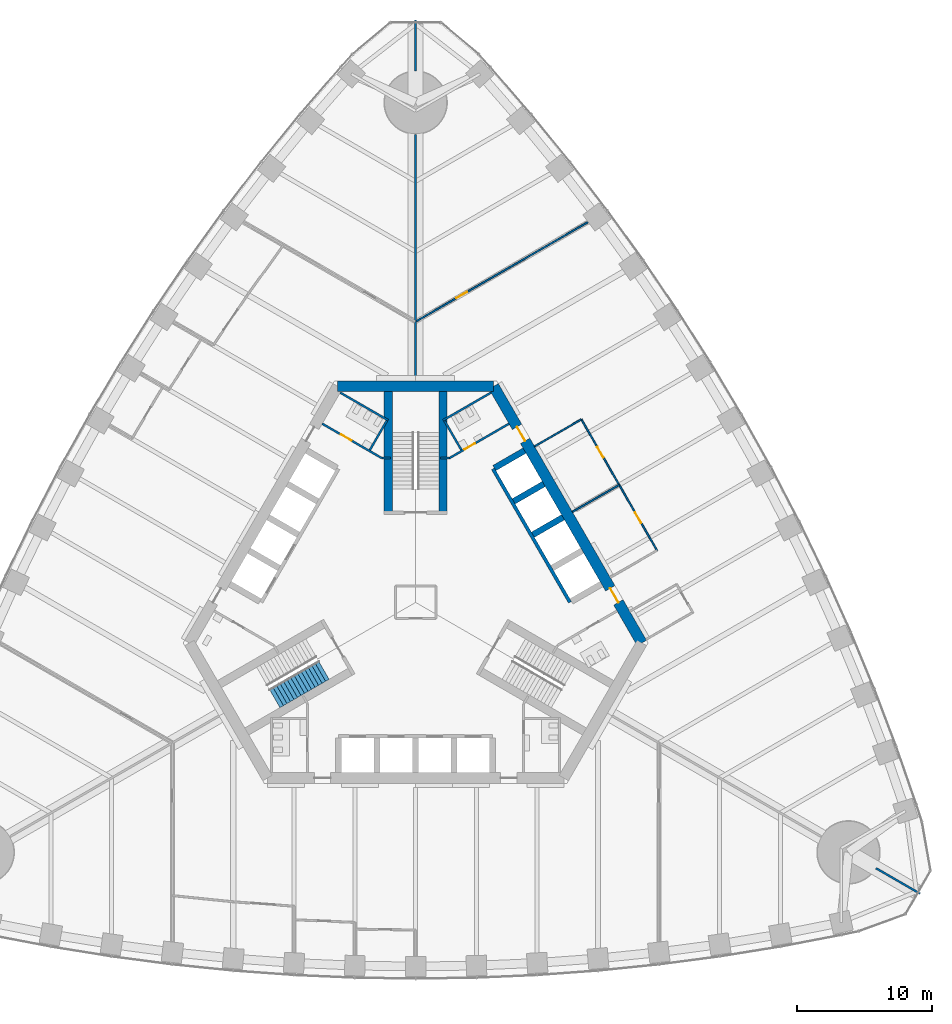
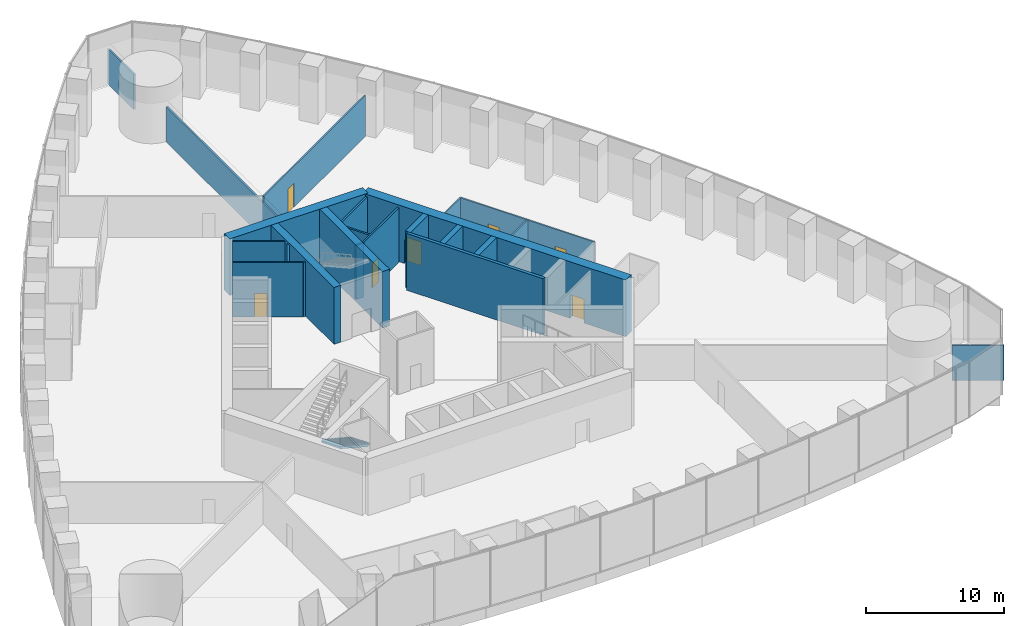
# One storey, part 17 of 21: 24 walls, 7 doors, 1 stair flight, 7 openings, 1 element without a shape of its own.
"""IFC4 building model written with IfcOpenShell, lengths in metres."""

from ifc_helpers import new_model, si_unit, direction, frame, frame_2d, origin, place, context, subcontext, project, spatial, polyline, rectangle, outline, extrude, material, layer, layer_set, type_object, element, fill, aggregate, save


model = new_model("IFC4")

# Units and contexts
model_context = context("Model", 3, precision=1e-05, world=origin(), true_north=direction((0.0, 1.0)))
body_context = subcontext(model_context, "Body", "Model", "MODEL_VIEW")
ifc_project = project(units=[si_unit("LENGTHUNIT", "METRE"), si_unit("AREAUNIT", "SQUARE_METRE"), si_unit("VOLUMEUNIT", "CUBIC_METRE"), si_unit("PLANEANGLEUNIT", "RADIAN"), si_unit("MASSUNIT", "GRAM", prefix="KILO")], contexts=[model_context])

# Site, building, storey
site_placement = place(None, origin())
site = spatial("IfcSite", under=ifc_project, at=site_placement, CompositionType="ELEMENT")
building_placement = place(site_placement, origin())
building = spatial("IfcBuilding", under=site, at=building_placement, Name="Trefoil Bronze Tower", CompositionType="ELEMENT")
storey_placement = place(building_placement, frame((0.0, 0.0, 11.5)))
storey = spatial("IfcBuildingStorey", under=building, at=storey_placement, Name="L02", CompositionType="ELEMENT", Elevation=11.5)

# Wall, openings, doors
ifc_material_1 = material(Name="Concrete B80", Category="concrete")
ifc_layer_1 = layer(ifc_material_1, 0.800048828125)
ifc_layer_set_1 = layer_set([ifc_layer_1], Name="Core wall 800")
wall_type_1 = type_object("IfcWallType", Name="Core wall 800", PredefinedType="SHEAR", material=ifc_layer_set_1)
wall_1_placement = place(storey_placement, frame((16.7431640625, -3.0, 0.0), z_axis=(0.0, 0.0, 1.0), x_axis=(-0.500002442456, 0.866023993627, 0.0)))
wall_1 = element("IfcWall", 1, at=wall_1_placement, inside=storey, type_object=wall_type_1, Name="Core long wall 2 L02", PredefinedType="SHEAR", context=body_context, shape_type="SweptSolid", body=[
    extrude(rectangle(XDim=21.939453125, YDim=0.800048828125, at=frame_2d((10.9697265625, 0.0))), origin(), (0.0, 0.0, 1.0), 5.0),
])
opening_1_placement = place(wall_1_placement, frame((17.269775390625, 0.0, 0.0)))
opening_1 = element("IfcOpeningElement", 2, at=opening_1_placement, cuts=wall_1, Name="Opening D2", PredefinedType="OPENING", context=body_context, shape_type="SweptSolid", body=[
    extrude(rectangle(XDim=1.199951171875, YDim=2.10009765625, at=frame_2d((0.60009765625, 1.050048828125))), frame((0.0, 0.409912109375, 0.0), z_axis=(0.0, -1.0, 0.0), x_axis=(1.0, 0.0, 0.0)), (0.0, 0.0, 1.0), 0.820068359375),
])
opening_2_placement = place(wall_1_placement, frame((3.4697265625, 0.0, 0.0)))
opening_2 = element("IfcOpeningElement", 3, at=opening_2_placement, cuts=wall_1, Name="Opening D2", PredefinedType="OPENING", context=body_context, shape_type="SweptSolid", body=[
    extrude(rectangle(XDim=1.199951171875, YDim=2.10009765625, at=frame_2d((0.60009765625, 1.050048828125))), frame((0.0, 0.409912109375, 0.0), z_axis=(0.0, -1.0, 0.0), x_axis=(1.0, 0.0, 0.0)), (0.0, 0.0, 1.0), 0.820068359375),
])
ifc_material_2 = material(Name="Steel door", Category="steel")
door_type_1 = type_object("IfcDoorType", Name="Lobby door 1200", OperationType="SINGLE_SWING_RIGHT", PredefinedType="DOOR", material=ifc_material_2)
door_1_placement = place(opening_1_placement, origin())
door_1 = element("IfcDoor", 4, at=door_1_placement, inside=storey, type_object=door_type_1, Name="Lobby door F2+ L02", OperationType="SINGLE_SWING_RIGHT", OverallHeight=2.10009765625, OverallWidth=1.199951171875, PredefinedType="DOOR", context=body_context, shape_type="SweptSolid", body=[
    extrude(rectangle(XDim=1.199951171875, YDim=2.10009765625, at=frame_2d((0.60009765625, 1.050048828125))), frame((0.0, 0.02490234375, 0.0), z_axis=(0.0, -1.0, 0.0), x_axis=(1.0, 0.0, 0.0)), (0.0, 0.0, 1.0), 0.050048828125),
])
fill(opening_1, door_1)
door_2_placement = place(opening_2_placement, origin())
door_2 = element("IfcDoor", 5, at=door_2_placement, inside=storey, type_object=door_type_1, Name="Lobby door F2- L02", OperationType="SINGLE_SWING_LEFT", OverallHeight=2.10009765625, OverallWidth=1.199951171875, PredefinedType="DOOR", context=body_context, shape_type="SweptSolid", body=[
    extrude(rectangle(XDim=1.199951171875, YDim=2.10009765625, at=frame_2d((0.60009765625, 1.050048828125))), frame((0.0, 0.02490234375, 0.0), z_axis=(0.0, -1.0, 0.0), x_axis=(1.0, 0.0, 0.0)), (0.0, 0.0, 1.0), 0.050048828125),
])
fill(opening_2, door_2)

# Wall
wall_2_placement = place(storey_placement, frame((5.7734375, 16.0, 0.0), z_axis=(0.0, 0.0, 1.0), x_axis=(-1.0, 0.0, 0.0)))
element("IfcWall", 6, at=wall_2_placement, inside=storey, type_object=wall_type_1, Name="Core short wall 2 L02", PredefinedType="SHEAR", context=body_context, shape_type="SweptSolid", body=[
    extrude(rectangle(XDim=11.546875, YDim=0.800048828125, at=frame_2d((5.7734375, 0.0))), origin(), (0.0, 0.0, 1.0), 5.0),
])

# Wall, opening, door
ifc_material_3 = material(Name="Glazed partition", Category="glass")
ifc_layer_2 = layer(ifc_material_3, 0.1201171875)
ifc_layer_set_2 = layer_set([ifc_layer_2], Name="Glazed partition 120")
wall_type_2 = type_object("IfcWallType", Name="Glazed partition 120", PredefinedType="PARTITIONING", material=ifc_layer_set_2)
wall_3_placement = place(storey_placement, frame((15.06884765625, 8.699951171875, 0.0), z_axis=(0.0, 0.0, 1.0), x_axis=(-0.49999793692, 0.866026594901, 0.0)))
wall_3 = element("IfcWall", 7, at=wall_3_placement, inside=storey, type_object=wall_type_2, Name="Partition F2 L02", PredefinedType="PARTITIONING", context=body_context, shape_type="SweptSolid", body=[
    extrude(rectangle(XDim=5.60009765625, YDim=0.1201171875, at=frame_2d((2.800048828125, 0.0))), origin(), (0.0, 0.0, 1.0), 3.60009765625),
])
opening_3_placement = place(wall_3_placement, frame((2.35009765625, 0.0, 0.0)))
opening_3 = element("IfcOpeningElement", 8, at=opening_3_placement, cuts=wall_3, Name="Opening D8", PredefinedType="OPENING", context=body_context, shape_type="SweptSolid", body=[
    extrude(rectangle(XDim=0.89990234375, YDim=2.10009765625, at=frame_2d((0.449951171875, 1.050048828125))), frame((0.0, 0.070068359375, 0.0), z_axis=(0.0, -1.0, 0.0), x_axis=(1.0, 0.0, 0.0)), (0.0, 0.0, 1.0), 0.14013671875),
])
ifc_material_4 = material(Name="Timber door", Category="wood")
door_type_2 = type_object("IfcDoorType", Name="Office door 900", OperationType="SINGLE_SWING_LEFT", PredefinedType="DOOR", material=ifc_material_4)
door_3_placement = place(opening_3_placement, origin())
door_3 = element("IfcDoor", 9, at=door_3_placement, inside=storey, type_object=door_type_2, Name="Changing room (women) door F2 L02", OperationType="SINGLE_SWING_RIGHT", OverallHeight=2.10009765625, OverallWidth=0.89990234375, PredefinedType="DOOR", context=body_context, shape_type="SweptSolid", body=[
    extrude(rectangle(XDim=0.89990234375, YDim=2.10009765625, at=frame_2d((0.449951171875, 1.050048828125))), frame((0.0, 0.02490234375, 0.0), z_axis=(0.0, -1.0, 0.0), x_axis=(1.0, 0.0, 0.0)), (0.0, 0.0, 1.0), 0.050048828125),
])
fill(opening_3, door_3)

wall_4_placement = place(storey_placement, frame((17.868896484375, 3.850341796875, 0.0), z_axis=(0.0, 0.0, 1.0), x_axis=(-0.500016814911, 0.866015695474, 0.0)))
wall_4 = element("IfcWall", 10, at=wall_4_placement, inside=storey, type_object=wall_type_2, Name="Partition F2 L02", PredefinedType="PARTITIONING", context=body_context, shape_type="SweptSolid", body=[
    extrude(rectangle(XDim=5.599853515625, YDim=0.1201171875, at=frame_2d((2.7998046875, 0.0))), origin(), (0.0, 0.0, 1.0), 3.60009765625),
])
opening_4_placement = place(wall_4_placement, frame((2.35009765625, 0.0, 0.0)))
opening_4 = element("IfcOpeningElement", 11, at=opening_4_placement, cuts=wall_4, Name="Opening D8", PredefinedType="OPENING", context=body_context, shape_type="SweptSolid", body=[
    extrude(rectangle(XDim=0.89990234375, YDim=2.10009765625, at=frame_2d((0.449951171875, 1.050048828125))), frame((0.0, 0.070068359375, 0.0), z_axis=(0.0, -1.0, 0.0), x_axis=(1.0, 0.0, 0.0)), (0.0, 0.0, 1.0), 0.14013671875),
])
door_4_placement = place(opening_4_placement, origin())
door_4 = element("IfcDoor", 12, at=door_4_placement, inside=storey, type_object=door_type_2, Name="Changing room (men) door F2 L02", OperationType="SINGLE_SWING_RIGHT", OverallHeight=2.10009765625, OverallWidth=0.89990234375, PredefinedType="DOOR", context=body_context, shape_type="SweptSolid", body=[
    extrude(rectangle(XDim=0.89990234375, YDim=2.10009765625, at=frame_2d((0.449951171875, 1.050048828125))), frame((0.0, 0.02490234375, 0.0), z_axis=(0.0, -1.0, 0.0), x_axis=(1.0, 0.0, 0.0)), (0.0, 0.0, 1.0), 0.050048828125),
])
fill(opening_4, door_4)

# Walls
for number, where, z_axis, x_axis, name in (
    (13, (8.8046875, 11.5498046875, 0.0), (0.0, 0.0, 1.0), (0.866026010844, 0.49999894854, 0.0), "Partition F2 L02"),
    (14, (11.604736328125, 6.699951171875, 0.0), (0.0, 0.0, 1.0), (0.866026010844, 0.49999894854, 0.0), "Partition F2 L02"),
):
    element("IfcWall", number, at=place(storey_placement, frame(where, z_axis=z_axis, x_axis=x_axis)), inside=storey, type_object=wall_type_2, Name=name, PredefinedType="PARTITIONING", context=body_context, shape_type="SweptSolid", body=[
        extrude(rectangle(XDim=4.0, YDim=0.1201171875, at=frame_2d((2.0, 0.0))), origin(), (0.0, 0.0, 1.0), 3.60009765625),
    ])

# Wall, opening, door
wall_5_placement = place(storey_placement, frame((0.025146484375, 20.799072265625, 0.0), z_axis=(0.0, 0.0, 1.0), x_axis=(0.866027263711, 0.4999967785, 0.0)))
wall_5 = element("IfcWall", 15, at=wall_5_placement, inside=storey, type_object=wall_type_2, Name="Partition F2 L02", PredefinedType="PARTITIONING", context=body_context, shape_type="SweptSolid", body=[
    extrude(rectangle(XDim=14.6884765625, YDim=0.1201171875, at=frame_2d((7.34423828125, 0.0))), origin(), (0.0, 0.0, 1.0), 3.60009765625),
])
opening_5_placement = place(wall_5_placement, frame((3.449951171875, 0.0, 0.0)))
opening_5 = element("IfcOpeningElement", 16, at=opening_5_placement, cuts=wall_5, Name="Opening D8", PredefinedType="OPENING", context=body_context, shape_type="SweptSolid", body=[
    extrude(rectangle(XDim=0.89990234375, YDim=2.10009765625, at=frame_2d((0.449951171875, 1.050048828125))), frame((0.0, 0.070068359375, 0.0), z_axis=(0.0, -1.0, 0.0), x_axis=(1.0, 0.0, 0.0)), (0.0, 0.0, 1.0), 0.14013671875),
])
door_5_placement = place(opening_5_placement, origin())
door_5 = element("IfcDoor", 17, at=door_5_placement, inside=storey, type_object=door_type_2, Name="Plant room door F2 L02", OperationType="SINGLE_SWING_LEFT", OverallHeight=2.10009765625, OverallWidth=0.89990234375, PredefinedType="DOOR", context=body_context, shape_type="SweptSolid", body=[
    extrude(rectangle(XDim=0.89990234375, YDim=2.10009765625, at=frame_2d((0.449951171875, 1.050048828125))), frame((0.0, 0.02490234375, 0.0), z_axis=(0.0, -1.0, 0.0), x_axis=(1.0, 0.0, 0.0)), (0.0, 0.0, 1.0), 0.050048828125),
])
fill(opening_5, door_5)

# Walls
ifc_material_5 = material(Name="Concrete B80", Category="concrete")
ifc_layer_3 = layer(ifc_material_5, 0.449951171875)
ifc_layer_set_3 = layer_set([ifc_layer_3], Name="Outrigger shaft wall 450")
wall_type_3 = type_object("IfcWallType", Name="Outrigger shaft wall 450", PredefinedType="SHEAR", material=ifc_layer_set_3)
for number, where, z_axis, x_axis, name in (
    (18, (8.681884765625, 5.012451171875, 0.0), (0.0, 0.0, 1.0), (0.866005588531, 0.500034319456, 0.0), "Lift shaft side wall B2 L02"),
    (19, (7.2568359375, 7.480712890625, 0.0), (0.0, 0.0, 1.0), (0.866046643894, 0.499963209246, 0.0), "Lift shaft side wall B3 L02"),
):
    element("IfcWall", number, at=place(storey_placement, frame(where, z_axis=z_axis, x_axis=x_axis)), inside=storey, type_object=wall_type_3, Name=name, PredefinedType="SHEAR", context=body_context, shape_type="SweptSolid", body=[
        extrude(rectangle(XDim=2.574951171875, YDim=0.449951171875, at=frame_2d((1.28759765625, 0.0))), origin(), (0.0, 0.0, 1.0), 5.0),
    ])
wall_6_placement = place(storey_placement, frame((5.831787109375, 9.94873046875, 0.0), z_axis=(0.0, 0.0, 1.0), x_axis=(0.866029291668, 0.499993265928, 0.0)))
element("IfcWall", 20, at=wall_6_placement, inside=storey, type_object=wall_type_3, Name="Lift shaft side wall B4 L02", PredefinedType="SHEAR", context=body_context, shape_type="SweptSolid", body=[
    extrude(rectangle(XDim=2.5751953125, YDim=0.449951171875, at=frame_2d((1.28759765625, 0.0))), origin(), (0.0, 0.0, 1.0), 5.0),
])

# Wall, opening, door
ifc_material_6 = material(Name="Gypsum board on steel studs", Category="steel")
ifc_layer_4 = layer(ifc_material_6, 0.14990234375)
ifc_layer_set_4 = layer_set([ifc_layer_4], Name="Partition 150")
wall_type_4 = type_object("IfcWallType", Name="Partition 150", PredefinedType="PARTITIONING", material=ifc_layer_set_4)
wall_7_placement = place(storey_placement, frame((2.4951171875, 10.67822265625, 0.0), z_axis=(0.0, 0.0, 1.0), x_axis=(0.86602216432, 0.500005610874, 0.0)))
wall_7 = element("IfcWall", 21, at=wall_7_placement, inside=storey, type_object=wall_type_4, Name="Passage wall F2+ L02", PredefinedType="PARTITIONING", context=body_context, shape_type="SweptSolid", body=[
    extrude(rectangle(XDim=5.10009765625, YDim=0.14990234375, at=frame_2d((2.550048828125, 0.0))), origin(), (0.0, 0.0, 1.0), 4.800048828125),
])
opening_6_placement = place(wall_7_placement, frame((1.300048828125, 0.0, 0.0)))
opening_6 = element("IfcOpeningElement", 22, at=opening_6_placement, cuts=wall_7, Name="Opening D3", PredefinedType="OPENING", context=body_context, shape_type="SweptSolid", body=[
    extrude(rectangle(XDim=0.89990234375, YDim=2.10009765625, at=frame_2d((0.449951171875, 1.050048828125))), frame((0.0, 0.0849609375, 0.0), z_axis=(0.0, -1.0, 0.0), x_axis=(1.0, 0.0, 0.0)), (0.0, 0.0, 1.0), 0.169921875),
])
ifc_material_7 = material(Name="Timber door", Category="wood")
door_type_3 = type_object("IfcDoorType", Name="WC door 900", OperationType="SINGLE_SWING_LEFT", PredefinedType="DOOR", material=ifc_material_7)
door_6_placement = place(opening_6_placement, origin())
door_6 = element("IfcDoor", 23, at=door_6_placement, inside=storey, type_object=door_type_3, Name="WC (men) door L02", OperationType="SINGLE_SWING_LEFT", OverallHeight=2.10009765625, OverallWidth=0.89990234375, PredefinedType="DOOR", context=body_context, shape_type="SweptSolid", body=[
    extrude(rectangle(XDim=0.89990234375, YDim=2.10009765625, at=frame_2d((0.449951171875, 1.050048828125))), frame((0.0, 0.02490234375, 0.0), z_axis=(0.0, -1.0, 0.0), x_axis=(1.0, 0.0, 0.0)), (0.0, 0.0, 1.0), 0.050048828125),
])
fill(opening_6, door_6)

wall_8_placement = place(storey_placement, frame((-2.4951171875, 10.67822265625, 0.0), z_axis=(0.0, 0.0, 1.0), x_axis=(-0.86602216432, 0.500005610874, 0.0)))
wall_8 = element("IfcWall", 24, at=wall_8_placement, inside=storey, type_object=wall_type_4, Name="Passage wall F3- L02", PredefinedType="PARTITIONING", context=body_context, shape_type="SweptSolid", body=[
    extrude(rectangle(XDim=5.10009765625, YDim=0.14990234375, at=frame_2d((2.550048828125, 0.0))), origin(), (0.0, 0.0, 1.0), 4.800048828125),
])
opening_7_placement = place(wall_8_placement, frame((2.60009765625, 0.0, 0.0)))
opening_7 = element("IfcOpeningElement", 25, at=opening_7_placement, cuts=wall_8, Name="Opening D3", PredefinedType="OPENING", context=body_context, shape_type="SweptSolid", body=[
    extrude(rectangle(XDim=0.89990234375, YDim=2.10009765625, at=frame_2d((0.449951171875, 1.050048828125))), frame((0.0, 0.0849609375, 0.0), z_axis=(0.0, -1.0, 0.0), x_axis=(1.0, 0.0, 0.0)), (0.0, 0.0, 1.0), 0.169921875),
])
door_7_placement = place(opening_7_placement, frame((0.89990234375, 0.0, 0.0), z_axis=(0.0, 0.0, 1.0), x_axis=(-1.0, 0.0, 0.0)))
door_7 = element("IfcDoor", 26, at=door_7_placement, inside=storey, type_object=door_type_3, Name="WC (women) door L02", OperationType="SINGLE_SWING_RIGHT", OverallHeight=2.10009765625, OverallWidth=0.89990234375, PredefinedType="DOOR", context=body_context, shape_type="SweptSolid", body=[
    extrude(rectangle(XDim=0.89990234375, YDim=2.10009765625, at=frame_2d((0.449951171875, 1.050048828125))), frame((0.0, 0.02490234375, 0.0), z_axis=(0.0, -1.0, 0.0), x_axis=(1.0, 0.0, 0.0)), (0.0, 0.0, 1.0), 0.050048828125),
])
fill(opening_7, door_7)

# Walls
for number, where, z_axis, x_axis, name in (
    (27, (2.4951171875, 10.67822265625, 0.0), (0.0, 0.0, 1.0), (-1.0, 0.0, 0.0), "WC wall ST2-1 L02"),
    (28, (-2.4951171875, 10.67822265625, 0.0), (0.0, 0.0, 1.0), (1.0, 0.0, 0.0), "WC wall ST2+1 L02"),
):
    element("IfcWall", number, at=place(storey_placement, frame(where, z_axis=z_axis, x_axis=x_axis)), inside=storey, type_object=wall_type_4, Name=name, PredefinedType="PARTITIONING", context=body_context, shape_type="SweptSolid", body=[
        extrude(rectangle(XDim=0.64501953125, YDim=0.14990234375, at=frame_2d((0.322509765625, 0.0))), origin(), (0.0, 0.0, 1.0), 4.800048828125),
    ])
wall_9_placement = place(storey_placement, frame((2.03125, 13.48193359375, 0.0), z_axis=(0.0, 0.0, 1.0), x_axis=(0.866050731258, 0.499956128963, 0.0)))
element("IfcWall", 29, at=wall_9_placement, inside=storey, type_object=wall_type_4, Name="WC partition WC (men) L02", PredefinedType="PARTITIONING", context=body_context, shape_type="SweptSolid", body=[
    extrude(rectangle(XDim=4.099853515625, YDim=0.14990234375, at=frame_2d((2.0498046875, 0.0))), origin(), (0.0, 0.0, 1.0), 4.800048828125),
])
wall_10_placement = place(storey_placement, frame((3.388671875, 11.28076171875, 0.0), z_axis=(0.0, 0.0, 1.0), x_axis=(-0.499989096993, 0.866031698547, 0.0)))
element("IfcWall", 30, at=wall_10_placement, inside=storey, type_object=wall_type_4, Name="WC partition WC (men) L02", PredefinedType="PARTITIONING", context=body_context, shape_type="SweptSolid", body=[
    extrude(rectangle(XDim=2.509765625, YDim=0.14990234375, at=frame_2d((1.2548828125, 0.0))), origin(), (0.0, 0.0, 1.0), 4.800048828125),
])
wall_11_placement = place(storey_placement, frame((-2.03125, 13.48193359375, 0.0), z_axis=(0.0, 0.0, 1.0), x_axis=(-0.866050731258, 0.499956128963, 0.0)))
element("IfcWall", 31, at=wall_11_placement, inside=storey, type_object=wall_type_4, Name="WC partition WC (women) L02", PredefinedType="PARTITIONING", context=body_context, shape_type="SweptSolid", body=[
    extrude(rectangle(XDim=4.099853515625, YDim=0.14990234375, at=frame_2d((2.0498046875, 0.0))), origin(), (0.0, 0.0, 1.0), 4.800048828125),
])
wall_12_placement = place(storey_placement, frame((-3.388671875, 11.28076171875, 0.0), z_axis=(0.0, 0.0, 1.0), x_axis=(0.499989096993, 0.866031698547, 0.0)))
element("IfcWall", 32, at=wall_12_placement, inside=storey, type_object=wall_type_4, Name="WC partition WC (women) L02", PredefinedType="PARTITIONING", context=body_context, shape_type="SweptSolid", body=[
    extrude(rectangle(XDim=2.509765625, YDim=0.14990234375, at=frame_2d((1.2548828125, 0.0))), origin(), (0.0, 0.0, 1.0), 4.800048828125),
])
ifc_material_8 = material(Name="Gypsum board on steel studs", Category="steel")
ifc_layer_5 = layer(ifc_material_8, 0.14990234375)
ifc_layer_set_5 = layer_set([ifc_layer_5], Name="Party wall 150")
wall_type_5 = type_object("IfcWallType", Name="Party wall 150", PredefinedType="PARTITIONING", material=ifc_layer_set_5)
wall_13_placement = place(storey_placement, frame((34.078125, -19.675048828125, 0.0), z_axis=(0.0, 0.0, 1.0), x_axis=(0.866019247219, -0.500010663332, 0.0)))
element("IfcWall", 33, at=wall_13_placement, inside=storey, type_object=wall_type_5, Name="Party wall K1 L02", PredefinedType="PARTITIONING", context=body_context, shape_type="SweptSolid", body=[
    extrude(rectangle(XDim=3.76416015625, YDim=0.14990234375, at=frame_2d((1.882080078125, 0.0))), origin(), (0.0, 0.0, 1.0), 3.10009765625),
])
wall_14_placement = place(storey_placement, frame((0.0, 16.39990234375, 0.0), z_axis=(0.0, 0.0, 1.0), x_axis=(0.0, 1.0, 0.0)))
element("IfcWall", 34, at=wall_14_placement, inside=storey, type_object=wall_type_5, Name="Party wall K2 L02", PredefinedType="PARTITIONING", context=body_context, shape_type="SweptSolid", body=[
    extrude(rectangle(XDim=18.25, YDim=0.14990234375, at=frame_2d((9.125, 0.0))), origin(), (0.0, 0.0, 1.0), 3.10009765625),
])
wall_15_placement = place(storey_placement, frame((0.0, 39.35009765625, 0.0), z_axis=(0.0, 0.0, 1.0), x_axis=(0.0, 1.0, 0.0)))
element("IfcWall", 35, at=wall_15_placement, inside=storey, type_object=wall_type_5, Name="Party wall K2 L02", PredefinedType="PARTITIONING", context=body_context, shape_type="SweptSolid", body=[
    extrude(rectangle(XDim=3.763916015625, YDim=0.14990234375, at=frame_2d((1.8818359375, 0.0))), origin(), (0.0, 0.0, 1.0), 3.10009765625),
])
ifc_material_9 = material(Name="Concrete B80", Category="concrete")
ifc_layer_6 = layer(ifc_material_9, 0.25)
ifc_layer_set_6 = layer_set([ifc_layer_6], Name="Shaft wall 250")
wall_type_6 = type_object("IfcWallType", Name="Shaft wall 250", PredefinedType="SHEAR", material=ifc_layer_set_6)
wall_16_placement = place(storey_placement, frame((11.423583984375, 0.013671875, 0.0), z_axis=(0.0, 0.0, 1.0), x_axis=(-0.500001763848, 0.866024385424, 0.0)))
element("IfcWall", 36, at=wall_16_placement, inside=storey, type_object=wall_type_6, Name="Lift shaft front wall B L02", PredefinedType="SHEAR", context=body_context, shape_type="SweptSolid", body=[
    extrude(rectangle(XDim=11.39990234375, YDim=0.25, at=frame_2d((5.699951171875, 0.0))), origin(), (0.0, 0.0, 1.0), 5.0),
])
ifc_material_10 = material(Name="Concrete B80", Category="concrete")
ifc_layer_7 = layer(ifc_material_10, 0.60009765625)
ifc_layer_set_7 = layer_set([ifc_layer_7], Name="Stair wall 600")
wall_type_7 = type_object("IfcWallType", Name="Stair wall 600", PredefinedType="SHEAR", material=ifc_layer_set_7)
for number, where, z_axis, x_axis, name in (
    (37, (2.02490234375, 6.52490234375, 0.0), (0.0, 0.0, 1.0), (0.0, 1.0, 0.0), "Stair wall ST2 L02"),
    (38, (-2.02490234375, 6.52490234375, 0.0), (0.0, 0.0, 1.0), (0.0, 1.0, 0.0), "Stair wall ST2 L02"),
):
    element("IfcWall", number, at=place(storey_placement, frame(where, z_axis=z_axis, x_axis=x_axis)), inside=storey, type_object=wall_type_7, Name=name, PredefinedType="SHEAR", context=body_context, shape_type="SweptSolid", body=[
        extrude(rectangle(XDim=9.0751953125, YDim=0.60009765625, at=frame_2d((4.53759765625, 0.0))), origin(), (0.0, 0.0, 1.0), 5.0),
    ])

# Stair, stair flight
ifc_material_11 = material(Name="Precast concrete B80", Category="concrete")
stair_type = type_object("IfcStairType", Name="Exit stair 30 risers", PredefinedType="HALF_TURN_STAIR", material=ifc_material_11)
stair_placement = place(storey_placement, origin())
stair = element("IfcStair", 39, at=stair_placement, inside=storey, type_object=stair_type, Name="Stair ST3 L02", PredefinedType="HALF_TURN_STAIR")
ifc_material_12 = material(Name="Precast concrete B80", Category="concrete")
stair_flight_type = type_object("IfcStairFlightType", Name="Stair flight 1600", PredefinedType="STRAIGHT", material=ifc_material_12)
stair_flight_placement = place(storey_placement, frame((-6.803466796875, -4.99609375, 0.0), z_axis=(0.0, 0.0, 1.0), x_axis=(-0.866025403784, -0.5, 0.0)))
stair_flight = element("IfcStairFlight", 40, at=stair_flight_placement, type_object=stair_flight_type, Name="ST3 flight 1", NumberOfRisers=15, NumberOfTreads=14, PredefinedType="STRAIGHT", RiserHeight=0.166666667, TreadLength=0.3, context=body_context, shape_type="SweptSolid", body=[
    extrude(outline(polyline([(0.0, 0.0), (0.0, 0.166748046875), (0.300048828125, 0.166748046875), (0.300048828125, 0.333251953125), (0.60009765625, 0.333251953125), (0.60009765625, 0.5), (0.89990234375, 0.5), (0.89990234375, 0.666748046875), (1.199951171875, 0.666748046875), (1.199951171875, 0.833251953125), (1.5, 0.833251953125), (1.5, 1.0), (1.800048828125, 1.0), (1.800048828125, 1.166748046875), (2.10009765625, 1.166748046875), (2.10009765625, 1.333251953125), (2.39990234375, 1.333251953125), (2.39990234375, 1.5), (2.699951171875, 1.5), (2.699951171875, 1.666748046875), (3.0, 1.666748046875), (3.0, 1.833251953125), (3.300048828125, 1.833251953125), (3.300048828125, 2.0), (3.60009765625, 2.0), (3.60009765625, 2.166748046875), (3.89990234375, 2.166748046875), (3.89990234375, 2.333251953125), (4.199951171875, 2.333251953125), (4.199951171875, 2.5), (4.199951171875, 2.161865234375), (0.30859375, 0.0), (0.0, 0.0)])), frame((0.0, 0.800048828125, 0.0), z_axis=(0.0, -1.0, 0.0), x_axis=(1.0, 0.0, 0.0)), (0.0, 0.0, 1.0), 1.60009765625),
])
aggregate(stair, [stair_flight])

save(model, "model.ifc")
